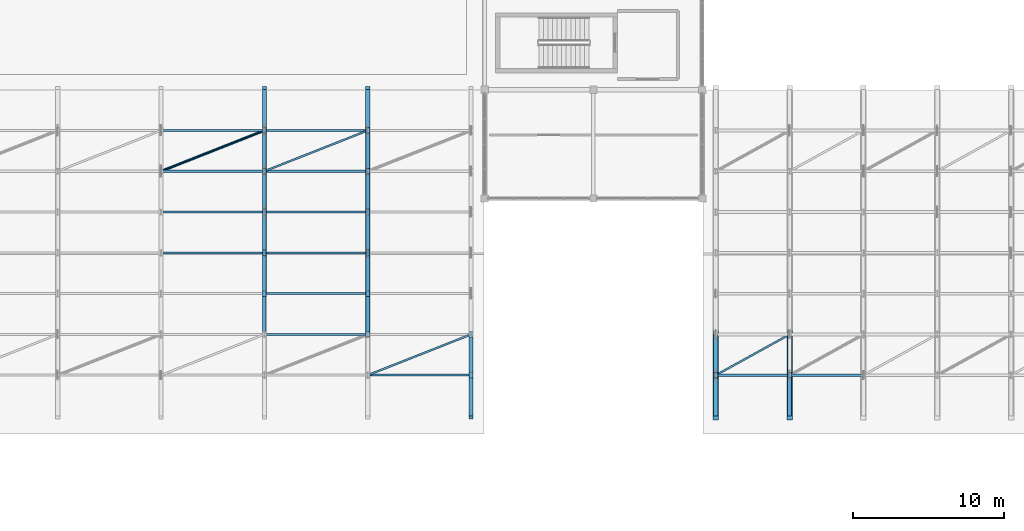
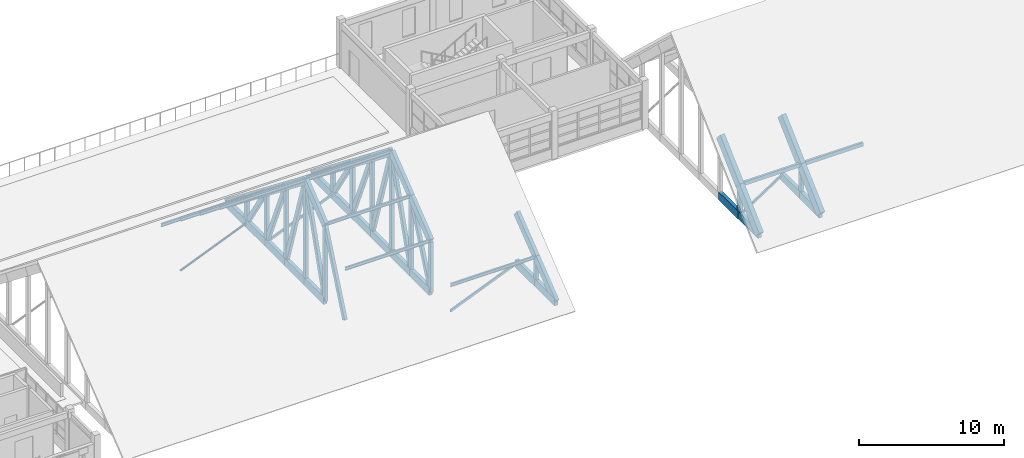
# One storey, part 18 of 79: 75 members.
"""IFC4 building model written with IfcOpenShell, lengths in metres."""

import ifcopenshell
import ifcopenshell.guid

model = None  # the IFC model being written
_history = None  # IfcOwnerHistory: only IFC2X3 demands one
_inside = {}  # id of a spatial element -> (the spatial element, [elements in it])
_under = {}  # id of a project, library or spatial element -> (it, [spatial elements below it])
_declared = {}  # id of a project -> (the project, [libraries it declares])
_typed = {}  # id of a type object -> (the type object, [elements of that type])
_made_of = {}  # id of a material, layer set ... -> (it, [elements and type objects made of it])


def new_model(schema):
    """Start an empty IFC model of exactly this schema.

    Asked for "IFC4X3", IfcOpenShell would pick the latest addendum, in which some entities
    have other attributes; the version numbers below select the first issue.
    IFC2X3 requires an IfcOwnerHistory on every rooted entity: one is made here for all.
    """
    global model, _history
    if schema == "IFC4X3":
        model = ifcopenshell.file(schema_version=(4, 3, 0, 0))
    else:
        model = ifcopenshell.file(schema=schema)
    _inside.clear()
    _under.clear()
    _declared.clear()
    _typed.clear()
    _made_of.clear()
    _history = None
    if model.schema == "IFC2X3":
        org = make("IfcOrganization", Name="unknown")
        user = make(
            "IfcPersonAndOrganization",
            ThePerson=make("IfcPerson", FamilyName="unknown"),
            TheOrganization=org,
        )
        app = make(
            "IfcApplication",
            ApplicationDeveloper=org,
            Version="unknown",
            ApplicationFullName="unknown",
            ApplicationIdentifier="unknown",
        )
        _history = make(
            "IfcOwnerHistory",
            OwningUser=user,
            OwningApplication=app,
            ChangeAction="ADDED",
            CreationDate=0,
        )
    return model


def make(cls, **values):
    """One entity of the class cls with the attributes given. An attribute that is None is left unset."""
    return model.create_entity(
        cls, **{name: value for name, value in values.items() if value is not None}
    )


def rooted(cls, **values):
    """An entity with a GlobalId (a new one), such as an element, a storey or a relation."""
    return make(cls, GlobalId=ifcopenshell.guid.new(), OwnerHistory=_history, **values)


def si_unit(unit_type, name, prefix=None):
    """IfcSIUnit, for example si_unit("LENGTHUNIT", "METRE", prefix="MILLI")."""
    return make("IfcSIUnit", UnitType=unit_type, Prefix=prefix, Name=name)


def assignment(units):
    """IfcUnitAssignment: the units of a project."""
    return None if units is None else make("IfcUnitAssignment", Units=units)


def point(xyz):
    """IfcCartesianPoint."""
    return None if xyz is None else make("IfcCartesianPoint", Coordinates=xyz)


def direction(xyz):
    """IfcDirection."""
    return None if xyz is None else make("IfcDirection", DirectionRatios=xyz)


def frame(location, z_axis=None, x_axis=None):
    """IfcAxis2Placement3D, a coordinate frame: its origin and axes. An axis left out is left unset."""
    return make(
        "IfcAxis2Placement3D",
        Location=point(location),
        Axis=direction(z_axis),
        RefDirection=direction(x_axis),
    )


def frame_2d(location, x_axis=None):
    """IfcAxis2Placement2D, a coordinate frame in the plane: its origin and x axis."""
    return make(
        "IfcAxis2Placement2D", Location=point(location), RefDirection=direction(x_axis)
    )


def origin():
    """The frame at (0, 0, 0) with its axes left unset."""
    return frame((0.0, 0.0, 0.0))


def origin_2d():
    """The frame at (0, 0) in the plane with its x axis left unset."""
    return frame_2d((0.0, 0.0))


def place(relative_to, where):
    """IfcLocalPlacement: puts the frame where relative to a parent placement (None: the world)."""
    return make(
        "IfcLocalPlacement", PlacementRelTo=relative_to, RelativePlacement=where
    )


def context(
    kind, dimensions, precision=None, world=None, true_north=None, identifier=None
):
    """IfcGeometricRepresentationContext, for example the 3D "Model" context."""
    return make(
        "IfcGeometricRepresentationContext",
        ContextIdentifier=identifier,
        ContextType=kind,
        CoordinateSpaceDimension=dimensions,
        Precision=precision,
        WorldCoordinateSystem=world,
        TrueNorth=true_north,
    )


def subcontext(parent, identifier, kind, view, scale=None):
    """IfcGeometricRepresentationSubContext, for example "Body" below "Model"."""
    return make(
        "IfcGeometricRepresentationSubContext",
        ContextIdentifier=identifier,
        ContextType=kind,
        ParentContext=parent,
        TargetScale=scale,
        TargetView=view,
    )


def project(units=None, contexts=None):
    """IfcProject with its units and contexts."""
    return rooted(
        "IfcProject",
        Name="project",
        RepresentationContexts=contexts,
        UnitsInContext=assignment(units),
    )


def spatial(cls, under=None, at=None, **own):
    """A site, building, storey or space (cls), placed at a placement, below another one or the project."""
    s = rooted(cls, ObjectPlacement=at, **own)
    if under is not None:
        _under.setdefault(under.id(), (under, []))[1].append(s)
    return s


def profile(cls, at=None, kind="AREA", **sizes):
    """A parametric profile (cls). Its sizes go by their IFC names, for example OverallWidth=200.0."""
    return make(cls, ProfileType=kind, Position=at, **sizes)


def rectangle(**sizes):
    """IfcRectangleProfileDef."""
    return profile("IfcRectangleProfileDef", **sizes)


def hollow_rectangle(**sizes):
    """IfcRectangleHollowProfileDef."""
    return profile("IfcRectangleHollowProfileDef", **sizes)


def hollow_circle(**sizes):
    """IfcCircleHollowProfileDef."""
    return profile("IfcCircleHollowProfileDef", **sizes)


def i_section(**sizes):
    """IfcIShapeProfileDef."""
    return profile("IfcIShapeProfileDef", **sizes)


def extrude(swept, where, along, depth):
    """IfcExtrudedAreaSolid: the profile swept, set in the frame where, extruded along a direction by depth."""
    return make(
        "IfcExtrudedAreaSolid",
        SweptArea=swept,
        Position=where,
        ExtrudedDirection=direction(along),
        Depth=depth,
    )


def shape(context_of_items, identifier, shape_type, items):
    """IfcShapeRepresentation: the items that make up one representation, for example the "Body"."""
    return make(
        "IfcShapeRepresentation",
        ContextOfItems=context_of_items,
        RepresentationIdentifier=identifier,
        RepresentationType=shape_type,
        Items=items,
    )


def material(Name=None, Category=None):
    """IfcMaterial."""
    return make("IfcMaterial", Name=Name, Category=Category)


def material_profile(
    of_material, cross_section, Name=None, Category=None, Priority=None
):
    """IfcMaterialProfile: a cross section and its material."""
    return make(
        "IfcMaterialProfile",
        Name=Name,
        Material=of_material,
        Profile=cross_section,
        Priority=Priority,
        Category=Category,
    )


def profile_set(profiles, Name=None, composite=None):
    """IfcMaterialProfileSet."""
    return make(
        "IfcMaterialProfileSet",
        Name=Name,
        MaterialProfiles=profiles,
        CompositeProfile=composite,
    )


def made_of(thing, what):
    """Note that an element or type object is made of a material, layer set ...; save() writes the relation."""
    if what is not None:
        _made_of.setdefault(what.id(), (what, []))[1].append(thing)
    return thing


def type_object(cls, material=None, **own):
    """A type object (cls), such as IfcWallType, which elements share."""
    return made_of(rooted(cls, **own), material)


def element(
    cls,
    number,
    at=None,
    inside=None,
    cuts=None,
    type_object=None,
    material=None,
    context=None,
    identifier="Body",
    shape_type=None,
    held_by="IfcProductDefinitionShape",
    body=None,
    shapes=None,
    **own,
):
    """One element of the class cls, such as IfcWall. Its Tag is "e" and its number.

    at: its placement. inside: the storey or other place that contains it. cuts: it is an
    opening in that element (IfcRelVoidsElement). A single representation is given by context,
    identifier, shape_type and body (its items); several are given by shapes. held_by: the class
    of the entity that holds the representations. save() writes the other relations.
    """
    e = rooted(cls, Tag="e%d" % number, ObjectPlacement=at, **own)
    if body is not None:
        shapes = [shape(context, identifier, shape_type, body)]
    if shapes is not None:
        e.Representation = make(held_by, Representations=shapes)
    if inside is not None:
        _inside.setdefault(inside.id(), (inside, []))[1].append(e)
    if cuts is not None:
        rooted(
            "IfcRelVoidsElement", RelatingBuildingElement=cuts, RelatedOpeningElement=e
        )
    if type_object is not None:
        _typed.setdefault(type_object.id(), (type_object, []))[1].append(e)
    return made_of(e, material)


def aggregate(whole, parts):
    """IfcRelAggregates: a whole, such as a stair, and the parts it consists of."""
    return rooted("IfcRelAggregates", RelatingObject=whole, RelatedObjects=parts)


def save(model, path):
    """Write the relations noted so far, then the file.

    IfcRelAggregates (storeys below a building ...), IfcRelContainedInSpatialStructure (elements
    in a storey), IfcRelDefinesByType, IfcRelAssociatesMaterial and IfcRelDeclares: one each for
    every whole, place, type object, material and project.
    """
    for whole, parts in _under.values():
        aggregate(whole, parts)
    for where, things in _inside.values():
        rooted(
            "IfcRelContainedInSpatialStructure",
            RelatedElements=things,
            RelatingStructure=where,
        )
    for kind, things in _typed.values():
        rooted("IfcRelDefinesByType", RelatedObjects=things, RelatingType=kind)
    for what, things in _made_of.values():
        rooted("IfcRelAssociatesMaterial", RelatedObjects=things, RelatingMaterial=what)
    for by, libraries in _declared.values():
        rooted("IfcRelDeclares", RelatingContext=by, RelatedDefinitions=libraries)
    model.write(path)


model = new_model("IFC4")

# Units and contexts
model_context = context("Model", 3, precision=1e-05, world=origin(), true_north=direction((0.0, 1.0)))
body_context = subcontext(model_context, "Body", "Model", "MODEL_VIEW")
ifc_project = project(units=[si_unit("LENGTHUNIT", "METRE"), si_unit("AREAUNIT", "SQUARE_METRE"), si_unit("VOLUMEUNIT", "CUBIC_METRE"), si_unit("PLANEANGLEUNIT", "RADIAN"), si_unit("MASSUNIT", "GRAM", prefix="KILO")], contexts=[model_context])

# Site, building, storey
site_placement = place(None, origin())
site = spatial("IfcSite", under=ifc_project, at=site_placement, CompositionType="ELEMENT")
building_placement = place(site_placement, origin())
building = spatial("IfcBuilding", under=site, at=building_placement, Name="Nzembalo Square Collegiate School", CompositionType="ELEMENT")
storey_placement = place(building_placement, frame((0.0, 0.0, 9.52001953125)))
storey = spatial("IfcBuildingStorey", under=building, at=storey_placement, Name="L02", CompositionType="ELEMENT", Elevation=9.52001953125)

# Members
ifc_material_1 = material(Name="Steel S355", Category="steel")
ifc_material_profile_1 = material_profile(ifc_material_1, hollow_circle(Radius=0.083984375, WallThickness=0.008056640625, at=origin_2d()), Name="CHS 168x8")
ifc_profile_set_1 = profile_set([ifc_material_profile_1], Name="Steel S355")
member_type_1 = type_object("IfcMemberType", Name="BR01", PredefinedType="BRACE", material=ifc_profile_set_1)
member_1_placement = place(storey_placement, frame((55.3798828125, 99.0, -0.60009765625), z_axis=(0.930159100227, 0.367156708049, 0.0), x_axis=(-0.367156708049, 0.930159100227, 0.0)))
element("IfcMember", 1, at=member_1_placement, inside=storey, type_object=member_type_1, Name="Roof wind brace BR01 GT-DH1-04-6", PredefinedType="BRACE", context=body_context, shape_type="SweptSolid", body=[
    extrude(hollow_circle(Radius=0.083984375, WallThickness=0.008056640625, at=origin_2d()), origin(), (0.0, 0.0, 1.0), 7.353759765625),
])
ifc_material_2 = material(Name="Steel S355", Category="steel")
ifc_material_profile_2 = material_profile(ifc_material_2, hollow_rectangle(XDim=0.1201171875, YDim=0.199951171875, WallThickness=0.008056640625, at=origin_2d()), Name="RHS 200x120x8")
ifc_profile_set_2 = profile_set([ifc_material_profile_2], Name="Steel S355")
member_type_2 = type_object("IfcMemberType", Name="BR02", PredefinedType="BRACE", material=ifc_profile_set_2)
member_2_placement = place(storey_placement, frame((92.10009765625, 85.5, -0.60009765625), z_axis=(0.875236175481, 0.483695810536, 0.0), x_axis=(-0.483695810536, 0.875236175481, 0.0)))
element("IfcMember", 2, at=member_2_placement, inside=storey, type_object=member_type_2, Name="Roof wind brace BR02 GT-AH1-02-1", PredefinedType="BRACE", context=body_context, shape_type="SweptSolid", body=[
    extrude(hollow_rectangle(XDim=0.1201171875, YDim=0.199951171875, WallThickness=0.008056640625, at=origin_2d()), origin(), (0.0, 0.0, 1.0), 5.58203125),
])
member_3_placement = place(storey_placement, frame((62.219970703125, 99.0, -0.60009765625), z_axis=(0.930159100227, 0.367156708049, 0.0), x_axis=(-0.367156708049, 0.930159100227, 0.0)))
element("IfcMember", 3, at=member_3_placement, inside=storey, type_object=member_type_2, Name="Roof wind brace BR02 GT-DH1-05-6", PredefinedType="BRACE", context=body_context, shape_type="SweptSolid", body=[
    extrude(hollow_rectangle(XDim=0.1201171875, YDim=0.199951171875, WallThickness=0.008056640625, at=origin_2d()), origin(), (0.0, 0.0, 1.0), 7.353759765625),
])
member_4_placement = place(storey_placement, frame((69.06005859375, 85.5, -0.60009765625), z_axis=(0.930154624551, 0.367168046577, 0.0), x_axis=(-0.367168046577, 0.930154624551, 0.0)))
element("IfcMember", 4, at=member_4_placement, inside=storey, type_object=member_type_2, Name="Roof wind brace BR02 GT-DH1-06-1", PredefinedType="BRACE", context=body_context, shape_type="SweptSolid", body=[
    extrude(hollow_rectangle(XDim=0.1201171875, YDim=0.199951171875, WallThickness=0.008056640625, at=origin_2d()), origin(), (0.0, 0.0, 1.0), 7.353515625),
])
ifc_material_3 = material(Name="Glulam GL28h", Category="wood")
ifc_material_profile_3 = material_profile(ifc_material_3, rectangle(XDim=0.179931640625, YDim=0.320068359375, at=origin_2d()), Name="GL28h 180x320")
ifc_profile_set_3 = profile_set([ifc_material_profile_3], Name="Glulam GL28h")
member_type_3 = type_object("IfcMemberType", Name="PR01", PredefinedType="PURLIN", material=ifc_profile_set_3)
member_5_placement = place(storey_placement, frame((92.10009765625, 85.5, 1.9599609375), z_axis=(1.0, 0.0, 0.0), x_axis=(0.0, 1.0, 0.0)))
element("IfcMember", 5, at=member_5_placement, inside=storey, type_object=member_type_3, Name="Roof purlin PR01 GT-AH1-02-1", PredefinedType="PURLIN", context=body_context, shape_type="SweptSolid", body=[
    extrude(rectangle(XDim=0.179931640625, YDim=0.320068359375, at=origin_2d()), origin(), (0.0, 0.0, 1.0), 4.885498046875),
])
member_6_placement = place(storey_placement, frame((96.985595703125, 85.5, 1.9599609375), z_axis=(1.0, 0.0, 0.0), x_axis=(0.0, 1.0, 0.0)))
element("IfcMember", 6, at=member_6_placement, inside=storey, type_object=member_type_3, Name="Roof purlin PR01 GT-AH1-03-1", PredefinedType="PURLIN", context=body_context, shape_type="SweptSolid", body=[
    extrude(rectangle(XDim=0.179931640625, YDim=0.320068359375, at=origin_2d()), origin(), (0.0, 0.0, 1.0), 4.8857421875),
])
ifc_material_4 = material(Name="Steel S355", Category="steel")
ifc_material_profile_4 = material_profile(ifc_material_4, i_section(OverallWidth=0.135009765625, OverallDepth=0.27001953125, WebThickness=0.006591796875, FlangeThickness=0.01025390625, at=origin_2d()), Name="IPE 270")
ifc_profile_set_4 = profile_set([ifc_material_profile_4], Name="Steel S355")
member_type_4 = type_object("IfcMemberType", Name="PR02", PredefinedType="PURLIN", material=ifc_profile_set_4)
for number, where, z_axis, x_axis, name in (
    (7, (55.3798828125, 93.60009765625, 7.925048828125), (1.0, 0.0, 0.0), (0.0, 1.0, 0.0), "Roof purlin PR02 GT-DH1-04-4"),
    (8, (55.3798828125, 96.300048828125, 5.804931640625), (1.0, 0.0, 0.0), (0.0, 1.0, 0.0), "Roof purlin PR02 GT-DH1-04-5"),
    (9, (55.3798828125, 99.0, 3.68505859375), (1.0, 0.0, 0.0), (0.0, 1.0, 0.0), "Roof purlin PR02 GT-DH1-04-6"),
    (10, (55.3798828125, 101.699951171875, 1.56494140625), (1.0, 0.0, 0.0), (0.0, 1.0, 0.0), "Roof purlin PR02 GT-DH1-04-7"),
    (11, (62.219970703125, 88.199951171875, 3.68505859375), (1.0, 0.0, 0.0), (0.0, 1.0, 0.0), "Roof purlin PR02 GT-DH1-05-2"),
    (12, (62.219970703125, 90.89990234375, 5.804931640625), (1.0, 0.0, 0.0), (0.0, 1.0, 0.0), "Roof purlin PR02 GT-DH1-05-3"),
    (13, (62.219970703125, 93.60009765625, 7.925048828125), (1.0, 0.0, 0.0), (0.0, 1.0, 0.0), "Roof purlin PR02 GT-DH1-05-4"),
    (14, (62.219970703125, 96.300048828125, 5.804931640625), (1.0, 0.0, 0.0), (0.0, 1.0, 0.0), "Roof purlin PR02 GT-DH1-05-5"),
    (15, (62.219970703125, 99.0, 3.68505859375), (1.0, 0.0, 0.0), (0.0, 1.0, 0.0), "Roof purlin PR02 GT-DH1-05-6"),
    (16, (62.219970703125, 101.699951171875, 1.56494140625), (1.0, 0.0, 0.0), (0.0, 1.0, 0.0), "Roof purlin PR02 GT-DH1-05-7"),
):
    element("IfcMember", number, at=place(storey_placement, frame(where, z_axis=z_axis, x_axis=x_axis)), inside=storey, type_object=member_type_4, Name=name, PredefinedType="PURLIN", context=body_context, shape_type="SweptSolid", body=[
        extrude(i_section(OverallWidth=0.135009765625, OverallDepth=0.27001953125, WebThickness=0.006591796875, FlangeThickness=0.01025390625, at=origin_2d()), origin(), (0.0, 0.0, 1.0), 6.840087890625),
    ])
member_7_placement = place(storey_placement, frame((69.06005859375, 85.5, 1.56494140625), z_axis=(1.0, 0.0, 0.0), x_axis=(0.0, 1.0, 0.0)))
element("IfcMember", 17, at=member_7_placement, inside=storey, type_object=member_type_4, Name="Roof purlin PR02 GT-DH1-06-1", PredefinedType="PURLIN", context=body_context, shape_type="SweptSolid", body=[
    extrude(i_section(OverallWidth=0.135009765625, OverallDepth=0.27001953125, WebThickness=0.006591796875, FlangeThickness=0.01025390625, at=origin_2d()), origin(), (0.0, 0.0, 1.0), 6.83984375),
])
ifc_material_5 = material(Name="Glulam GL32h", Category="wood")
ifc_material_profile_5 = material_profile(ifc_material_5, rectangle(XDim=0.360107421875, YDim=0.800048828125, at=origin_2d()), Name="GL32h 360x800")
ifc_profile_set_5 = profile_set([ifc_material_profile_5], Name="Glulam GL32h")
member_type_5 = type_object("IfcMemberType", Name="TC01", PredefinedType="CHORD", material=ifc_profile_set_5)
member_8_placement = place(storey_placement, frame((92.10009765625, 82.800048828125, -0.60009765625), z_axis=(0.0, 0.731706201412, 0.681620154349), x_axis=(-1.0, 0.0, 0.0)))
element("IfcMember", 18, at=member_8_placement, inside=storey, type_object=member_type_5, Name="GT-AH1-01 top chord 1", PredefinedType="CHORD", context=body_context, shape_type="SweptSolid", body=[
    extrude(rectangle(XDim=0.360107421875, YDim=0.800048828125, at=origin_2d()), origin(), (0.0, 0.0, 1.0), 3.68994140625),
])
member_9_placement = place(storey_placement, frame((92.10009765625, 85.5, 1.9150390625), z_axis=(0.0, 0.731739200986, 0.681584728218), x_axis=(-1.0, 0.0, 0.0)))
element("IfcMember", 19, at=member_9_placement, inside=storey, type_object=member_type_5, Name="GT-AH1-01 top chord 2", PredefinedType="CHORD", context=body_context, shape_type="SweptSolid", body=[
    extrude(rectangle(XDim=0.360107421875, YDim=0.800048828125, at=origin_2d()), origin(), (0.0, 0.0, 1.0), 3.689697265625),
])
member_10_placement = place(storey_placement, frame((96.985595703125, 82.800048828125, -0.60009765625), z_axis=(0.0, 0.731706201412, 0.681620154349), x_axis=(-1.0, 0.0, 0.0)))
element("IfcMember", 20, at=member_10_placement, inside=storey, type_object=member_type_5, Name="GT-AH1-02 top chord 1", PredefinedType="CHORD", context=body_context, shape_type="SweptSolid", body=[
    extrude(rectangle(XDim=0.360107421875, YDim=0.800048828125, at=origin_2d()), origin(), (0.0, 0.0, 1.0), 3.68994140625),
])
member_11_placement = place(storey_placement, frame((96.985595703125, 85.5, 1.9150390625), z_axis=(0.0, 0.731739200986, 0.681584728218), x_axis=(-1.0, 0.0, 0.0)))
element("IfcMember", 21, at=member_11_placement, inside=storey, type_object=member_type_5, Name="GT-AH1-02 top chord 2", PredefinedType="CHORD", context=body_context, shape_type="SweptSolid", body=[
    extrude(rectangle(XDim=0.360107421875, YDim=0.800048828125, at=origin_2d()), origin(), (0.0, 0.0, 1.0), 3.689697265625),
])
ifc_material_6 = material(Name="Glulam GL32h", Category="wood")
ifc_material_profile_6 = material_profile(ifc_material_6, rectangle(XDim=0.280029296875, YDim=0.639892578125, at=origin_2d()), Name="GL32h 280x640")
ifc_profile_set_6 = profile_set([ifc_material_profile_6], Name="Glulam GL32h")
member_type_6 = type_object("IfcMemberType", Name="TC02", PredefinedType="CHORD", material=ifc_profile_set_6)
for number, where, z_axis, x_axis, name in (
    (22, (92.10009765625, 82.800048828125, -0.60009765625), (0.0, 1.0, 0.0), (-1.0, 0.0, 0.0), "GT-AH1-01 bottom chord 1"),
    (23, (92.10009765625, 85.5, -0.60009765625), (0.0, 1.0, 0.0), (-1.0, 0.0, 0.0), "GT-AH1-01 bottom chord 2"),
    (24, (96.985595703125, 82.800048828125, -0.60009765625), (0.0, 1.0, 0.0), (-1.0, 0.0, 0.0), "GT-AH1-02 bottom chord 1"),
    (25, (96.985595703125, 85.5, -0.60009765625), (0.0, 1.0, 0.0), (-1.0, 0.0, 0.0), "GT-AH1-02 bottom chord 2"),
):
    element("IfcMember", number, at=place(storey_placement, frame(where, z_axis=z_axis, x_axis=x_axis)), inside=storey, type_object=member_type_6, Name=name, PredefinedType="CHORD", context=body_context, shape_type="SweptSolid", body=[
        extrude(rectangle(XDim=0.280029296875, YDim=0.639892578125, at=origin_2d()), origin(), (0.0, 0.0, 1.0), 2.699951171875),
    ])
member_12_placement = place(storey_placement, frame((62.219970703125, 90.89990234375, 5.760009765625), z_axis=(0.0, 0.786560123124, 0.617513702449), x_axis=(-1.0, 0.0, 0.0)))
element("IfcMember", 26, at=member_12_placement, inside=storey, type_object=member_type_6, Name="GT-DH1-04 top chord 4", PredefinedType="CHORD", context=body_context, shape_type="SweptSolid", body=[
    extrude(rectangle(XDim=0.280029296875, YDim=0.639892578125, at=origin_2d()), origin(), (0.0, 0.0, 1.0), 3.432861328125),
])
member_13_placement = place(storey_placement, frame((62.219970703125, 90.89990234375, -0.60009765625), z_axis=(0.0, 1.0, 0.0), x_axis=(-1.0, 0.0, 0.0)))
element("IfcMember", 27, at=member_13_placement, inside=storey, type_object=member_type_6, Name="GT-DH1-04 bottom chord 4", PredefinedType="CHORD", context=body_context, shape_type="SweptSolid", body=[
    extrude(rectangle(XDim=0.280029296875, YDim=0.639892578125, at=origin_2d()), origin(), (0.0, 0.0, 1.0), 2.7001953125),
])
member_14_placement = place(storey_placement, frame((62.219970703125, 93.60009765625, 7.8798828125), z_axis=(0.0, 0.786533002077, -0.617548246409), x_axis=(-1.0, 0.0, 0.0)))
element("IfcMember", 28, at=member_14_placement, inside=storey, type_object=member_type_6, Name="GT-DH1-04 top chord 5", PredefinedType="CHORD", context=body_context, shape_type="SweptSolid", body=[
    extrude(rectangle(XDim=0.280029296875, YDim=0.639892578125, at=origin_2d()), origin(), (0.0, 0.0, 1.0), 3.4326171875),
])
member_15_placement = place(storey_placement, frame((62.219970703125, 93.60009765625, -0.60009765625), z_axis=(0.0, 1.0, 0.0), x_axis=(-1.0, 0.0, 0.0)))
element("IfcMember", 29, at=member_15_placement, inside=storey, type_object=member_type_6, Name="GT-DH1-04 bottom chord 5", PredefinedType="CHORD", context=body_context, shape_type="SweptSolid", body=[
    extrude(rectangle(XDim=0.280029296875, YDim=0.639892578125, at=origin_2d()), origin(), (0.0, 0.0, 1.0), 2.699951171875),
])
member_16_placement = place(storey_placement, frame((62.219970703125, 96.300048828125, 5.760009765625), z_axis=(0.0, 0.786498457067, -0.617592241719), x_axis=(-1.0, 0.0, 0.0)))
element("IfcMember", 30, at=member_16_placement, inside=storey, type_object=member_type_6, Name="GT-DH1-04 top chord 6", PredefinedType="CHORD", context=body_context, shape_type="SweptSolid", body=[
    extrude(rectangle(XDim=0.280029296875, YDim=0.639892578125, at=origin_2d()), origin(), (0.0, 0.0, 1.0), 3.432861328125),
])
member_17_placement = place(storey_placement, frame((62.219970703125, 96.300048828125, -0.60009765625), z_axis=(0.0, 1.0, 0.0), x_axis=(-1.0, 0.0, 0.0)))
element("IfcMember", 31, at=member_17_placement, inside=storey, type_object=member_type_6, Name="GT-DH1-04 bottom chord 6", PredefinedType="CHORD", context=body_context, shape_type="SweptSolid", body=[
    extrude(rectangle(XDim=0.280029296875, YDim=0.639892578125, at=origin_2d()), origin(), (0.0, 0.0, 1.0), 2.699951171875),
])
member_18_placement = place(storey_placement, frame((62.219970703125, 99.0, 3.639892578125), z_axis=(0.0, 0.786533002077, -0.617548246409), x_axis=(-1.0, 0.0, 0.0)))
element("IfcMember", 32, at=member_18_placement, inside=storey, type_object=member_type_6, Name="GT-DH1-04 top chord 7", PredefinedType="CHORD", context=body_context, shape_type="SweptSolid", body=[
    extrude(rectangle(XDim=0.280029296875, YDim=0.639892578125, at=origin_2d()), origin(), (0.0, 0.0, 1.0), 3.4326171875),
])
member_19_placement = place(storey_placement, frame((62.219970703125, 99.0, -0.60009765625), z_axis=(0.0, 1.0, 0.0), x_axis=(-1.0, 0.0, 0.0)))
element("IfcMember", 33, at=member_19_placement, inside=storey, type_object=member_type_6, Name="GT-DH1-04 bottom chord 7", PredefinedType="CHORD", context=body_context, shape_type="SweptSolid", body=[
    extrude(rectangle(XDim=0.280029296875, YDim=0.639892578125, at=origin_2d()), origin(), (0.0, 0.0, 1.0), 2.699951171875),
])
member_20_placement = place(storey_placement, frame((62.219970703125, 101.699951171875, 1.52001953125), z_axis=(0.0, 0.786498457067, -0.617592241719), x_axis=(-1.0, 0.0, 0.0)))
element("IfcMember", 34, at=member_20_placement, inside=storey, type_object=member_type_6, Name="GT-DH1-04 top chord 8", PredefinedType="CHORD", context=body_context, shape_type="SweptSolid", body=[
    extrude(rectangle(XDim=0.280029296875, YDim=0.639892578125, at=origin_2d()), origin(), (0.0, 0.0, 1.0), 3.432861328125),
])
member_21_placement = place(storey_placement, frame((62.219970703125, 101.699951171875, -0.60009765625), z_axis=(0.0, 1.0, 0.0), x_axis=(-1.0, 0.0, 0.0)))
element("IfcMember", 35, at=member_21_placement, inside=storey, type_object=member_type_6, Name="GT-DH1-04 bottom chord 8", PredefinedType="CHORD", context=body_context, shape_type="SweptSolid", body=[
    extrude(rectangle(XDim=0.280029296875, YDim=0.639892578125, at=origin_2d()), origin(), (0.0, 0.0, 1.0), 2.699951171875),
])
member_22_placement = place(storey_placement, frame((69.06005859375, 88.199951171875, 3.639892578125), z_axis=(0.0, 0.786498457067, 0.617592241719), x_axis=(-1.0, 0.0, 0.0)))
element("IfcMember", 36, at=member_22_placement, inside=storey, type_object=member_type_6, Name="GT-DH1-05 top chord 3", PredefinedType="CHORD", context=body_context, shape_type="SweptSolid", body=[
    extrude(rectangle(XDim=0.280029296875, YDim=0.639892578125, at=origin_2d()), origin(), (0.0, 0.0, 1.0), 3.432861328125),
])
member_23_placement = place(storey_placement, frame((69.06005859375, 88.199951171875, -0.60009765625), z_axis=(0.0, 1.0, 0.0), x_axis=(-1.0, 0.0, 0.0)))
element("IfcMember", 37, at=member_23_placement, inside=storey, type_object=member_type_6, Name="GT-DH1-05 bottom chord 3", PredefinedType="CHORD", context=body_context, shape_type="SweptSolid", body=[
    extrude(rectangle(XDim=0.280029296875, YDim=0.639892578125, at=origin_2d()), origin(), (0.0, 0.0, 1.0), 2.699951171875),
])
member_24_placement = place(storey_placement, frame((69.06005859375, 90.89990234375, 5.760009765625), z_axis=(0.0, 0.786560123124, 0.617513702449), x_axis=(-1.0, 0.0, 0.0)))
element("IfcMember", 38, at=member_24_placement, inside=storey, type_object=member_type_6, Name="GT-DH1-05 top chord 4", PredefinedType="CHORD", context=body_context, shape_type="SweptSolid", body=[
    extrude(rectangle(XDim=0.280029296875, YDim=0.639892578125, at=origin_2d()), origin(), (0.0, 0.0, 1.0), 3.432861328125),
])
member_25_placement = place(storey_placement, frame((69.06005859375, 90.89990234375, -0.60009765625), z_axis=(0.0, 1.0, 0.0), x_axis=(-1.0, 0.0, 0.0)))
element("IfcMember", 39, at=member_25_placement, inside=storey, type_object=member_type_6, Name="GT-DH1-05 bottom chord 4", PredefinedType="CHORD", context=body_context, shape_type="SweptSolid", body=[
    extrude(rectangle(XDim=0.280029296875, YDim=0.639892578125, at=origin_2d()), origin(), (0.0, 0.0, 1.0), 2.7001953125),
])
member_26_placement = place(storey_placement, frame((69.06005859375, 93.60009765625, 7.8798828125), z_axis=(0.0, 0.786533002077, -0.617548246409), x_axis=(-1.0, 0.0, 0.0)))
element("IfcMember", 40, at=member_26_placement, inside=storey, type_object=member_type_6, Name="GT-DH1-05 top chord 5", PredefinedType="CHORD", context=body_context, shape_type="SweptSolid", body=[
    extrude(rectangle(XDim=0.280029296875, YDim=0.639892578125, at=origin_2d()), origin(), (0.0, 0.0, 1.0), 3.4326171875),
])
member_27_placement = place(storey_placement, frame((69.06005859375, 93.60009765625, -0.60009765625), z_axis=(0.0, 1.0, 0.0), x_axis=(-1.0, 0.0, 0.0)))
element("IfcMember", 41, at=member_27_placement, inside=storey, type_object=member_type_6, Name="GT-DH1-05 bottom chord 5", PredefinedType="CHORD", context=body_context, shape_type="SweptSolid", body=[
    extrude(rectangle(XDim=0.280029296875, YDim=0.639892578125, at=origin_2d()), origin(), (0.0, 0.0, 1.0), 2.699951171875),
])
member_28_placement = place(storey_placement, frame((69.06005859375, 96.300048828125, 5.760009765625), z_axis=(0.0, 0.786498457067, -0.617592241719), x_axis=(-1.0, 0.0, 0.0)))
element("IfcMember", 42, at=member_28_placement, inside=storey, type_object=member_type_6, Name="GT-DH1-05 top chord 6", PredefinedType="CHORD", context=body_context, shape_type="SweptSolid", body=[
    extrude(rectangle(XDim=0.280029296875, YDim=0.639892578125, at=origin_2d()), origin(), (0.0, 0.0, 1.0), 3.432861328125),
])
member_29_placement = place(storey_placement, frame((69.06005859375, 96.300048828125, -0.60009765625), z_axis=(0.0, 1.0, 0.0), x_axis=(-1.0, 0.0, 0.0)))
element("IfcMember", 43, at=member_29_placement, inside=storey, type_object=member_type_6, Name="GT-DH1-05 bottom chord 6", PredefinedType="CHORD", context=body_context, shape_type="SweptSolid", body=[
    extrude(rectangle(XDim=0.280029296875, YDim=0.639892578125, at=origin_2d()), origin(), (0.0, 0.0, 1.0), 2.699951171875),
])
member_30_placement = place(storey_placement, frame((69.06005859375, 99.0, 3.639892578125), z_axis=(0.0, 0.786533002077, -0.617548246409), x_axis=(-1.0, 0.0, 0.0)))
element("IfcMember", 44, at=member_30_placement, inside=storey, type_object=member_type_6, Name="GT-DH1-05 top chord 7", PredefinedType="CHORD", context=body_context, shape_type="SweptSolid", body=[
    extrude(rectangle(XDim=0.280029296875, YDim=0.639892578125, at=origin_2d()), origin(), (0.0, 0.0, 1.0), 3.4326171875),
])
member_31_placement = place(storey_placement, frame((69.06005859375, 99.0, -0.60009765625), z_axis=(0.0, 1.0, 0.0), x_axis=(-1.0, 0.0, 0.0)))
element("IfcMember", 45, at=member_31_placement, inside=storey, type_object=member_type_6, Name="GT-DH1-05 bottom chord 7", PredefinedType="CHORD", context=body_context, shape_type="SweptSolid", body=[
    extrude(rectangle(XDim=0.280029296875, YDim=0.639892578125, at=origin_2d()), origin(), (0.0, 0.0, 1.0), 2.699951171875),
])
member_32_placement = place(storey_placement, frame((69.06005859375, 101.699951171875, 1.52001953125), z_axis=(0.0, 0.786498457067, -0.617592241719), x_axis=(-1.0, 0.0, 0.0)))
element("IfcMember", 46, at=member_32_placement, inside=storey, type_object=member_type_6, Name="GT-DH1-05 top chord 8", PredefinedType="CHORD", context=body_context, shape_type="SweptSolid", body=[
    extrude(rectangle(XDim=0.280029296875, YDim=0.639892578125, at=origin_2d()), origin(), (0.0, 0.0, 1.0), 3.432861328125),
])
member_33_placement = place(storey_placement, frame((69.06005859375, 101.699951171875, -0.60009765625), z_axis=(0.0, 1.0, 0.0), x_axis=(-1.0, 0.0, 0.0)))
element("IfcMember", 47, at=member_33_placement, inside=storey, type_object=member_type_6, Name="GT-DH1-05 bottom chord 8", PredefinedType="CHORD", context=body_context, shape_type="SweptSolid", body=[
    extrude(rectangle(XDim=0.280029296875, YDim=0.639892578125, at=origin_2d()), origin(), (0.0, 0.0, 1.0), 2.699951171875),
])
member_34_placement = place(storey_placement, frame((75.89990234375, 82.800048828125, -0.60009765625), z_axis=(0.0, 0.786498457067, 0.617592241719), x_axis=(-1.0, 0.0, 0.0)))
element("IfcMember", 48, at=member_34_placement, inside=storey, type_object=member_type_6, Name="GT-DH1-06 top chord 1", PredefinedType="CHORD", context=body_context, shape_type="SweptSolid", body=[
    extrude(rectangle(XDim=0.280029296875, YDim=0.639892578125, at=origin_2d()), origin(), (0.0, 0.0, 1.0), 3.432861328125),
])
member_35_placement = place(storey_placement, frame((75.89990234375, 82.800048828125, -0.60009765625), z_axis=(0.0, 1.0, 0.0), x_axis=(-1.0, 0.0, 0.0)))
element("IfcMember", 49, at=member_35_placement, inside=storey, type_object=member_type_6, Name="GT-DH1-06 bottom chord 1", PredefinedType="CHORD", context=body_context, shape_type="SweptSolid", body=[
    extrude(rectangle(XDim=0.280029296875, YDim=0.639892578125, at=origin_2d()), origin(), (0.0, 0.0, 1.0), 2.699951171875),
])
member_36_placement = place(storey_placement, frame((75.89990234375, 85.5, 1.52001953125), z_axis=(0.0, 0.786533002077, 0.617548246409), x_axis=(-1.0, 0.0, 0.0)))
element("IfcMember", 50, at=member_36_placement, inside=storey, type_object=member_type_6, Name="GT-DH1-06 top chord 2", PredefinedType="CHORD", context=body_context, shape_type="SweptSolid", body=[
    extrude(rectangle(XDim=0.280029296875, YDim=0.639892578125, at=origin_2d()), origin(), (0.0, 0.0, 1.0), 3.4326171875),
])
member_37_placement = place(storey_placement, frame((75.89990234375, 85.5, -0.60009765625), z_axis=(0.0, 1.0, 0.0), x_axis=(-1.0, 0.0, 0.0)))
element("IfcMember", 51, at=member_37_placement, inside=storey, type_object=member_type_6, Name="GT-DH1-06 bottom chord 2", PredefinedType="CHORD", context=body_context, shape_type="SweptSolid", body=[
    extrude(rectangle(XDim=0.280029296875, YDim=0.639892578125, at=origin_2d()), origin(), (0.0, 0.0, 1.0), 2.699951171875),
])
ifc_material_7 = material(Name="Glulam GL32h", Category="wood")
ifc_material_profile_7 = material_profile(ifc_material_7, rectangle(XDim=0.239990234375, YDim=0.360107421875, at=origin_2d()), Name="GL32h 240x360")
ifc_profile_set_7 = profile_set([ifc_material_profile_7], Name="Glulam GL32h")
member_type_7 = type_object("IfcMemberType", Name="TD02", PredefinedType="BRACE", material=ifc_profile_set_7)
member_38_placement = place(storey_placement, frame((62.219970703125, 88.199951171875, -0.60009765625), z_axis=(0.0, 0.390761264497, 0.920492060894), x_axis=(-1.0, 0.0, 0.0)))
element("IfcMember", 52, at=member_38_placement, inside=storey, type_object=member_type_7, Name="GT-DH1-04 web diagonal 2", PredefinedType="BRACE", context=body_context, shape_type="SweptSolid", body=[
    extrude(rectangle(XDim=0.239990234375, YDim=0.360107421875, at=origin_2d()), origin(), (0.0, 0.0, 1.0), 6.909423828125),
])
for number, where, z_axis, x_axis, name in (
    (53, (62.219970703125, 90.89990234375, -0.60009765625), (0.0, 0.303409732747, 0.952860186006), (-1.0, 0.0, 0.0), "GT-DH1-04 web diagonal 3"),
    (54, (62.219970703125, 96.300048828125, -0.60009765625), (0.0, -0.303384824786, 0.95286811684), (1.0, 0.0, 0.0), "GT-DH1-04 web diagonal 4"),
):
    element("IfcMember", number, at=place(storey_placement, frame(where, z_axis=z_axis, x_axis=x_axis)), inside=storey, type_object=member_type_7, Name=name, PredefinedType="BRACE", context=body_context, shape_type="SweptSolid", body=[
        extrude(rectangle(XDim=0.239990234375, YDim=0.360107421875, at=origin_2d()), origin(), (0.0, 0.0, 1.0), 8.8994140625),
    ])
member_39_placement = place(storey_placement, frame((62.219970703125, 99.0, -0.60009765625), z_axis=(0.0, -0.390761264497, 0.920492060894), x_axis=(1.0, 0.0, 0.0)))
element("IfcMember", 55, at=member_39_placement, inside=storey, type_object=member_type_7, Name="GT-DH1-04 web diagonal 5", PredefinedType="BRACE", context=body_context, shape_type="SweptSolid", body=[
    extrude(rectangle(XDim=0.239990234375, YDim=0.360107421875, at=origin_2d()), origin(), (0.0, 0.0, 1.0), 6.909423828125),
])
member_40_placement = place(storey_placement, frame((62.219970703125, 101.699951171875, -0.60009765625), z_axis=(0.0, -0.537126885437, 0.843501457581), x_axis=(1.0, 0.0, 0.0)))
element("IfcMember", 56, at=member_40_placement, inside=storey, type_object=member_type_7, Name="GT-DH1-04 web diagonal 6", PredefinedType="BRACE", context=body_context, shape_type="SweptSolid", body=[
    extrude(rectangle(XDim=0.239990234375, YDim=0.360107421875, at=origin_2d()), origin(), (0.0, 0.0, 1.0), 5.026611328125),
])
member_41_placement = place(storey_placement, frame((69.06005859375, 88.199951171875, -0.60009765625), z_axis=(0.0, 0.390761264497, 0.920492060894), x_axis=(-1.0, 0.0, 0.0)))
element("IfcMember", 57, at=member_41_placement, inside=storey, type_object=member_type_7, Name="GT-DH1-05 web diagonal 2", PredefinedType="BRACE", context=body_context, shape_type="SweptSolid", body=[
    extrude(rectangle(XDim=0.239990234375, YDim=0.360107421875, at=origin_2d()), origin(), (0.0, 0.0, 1.0), 6.909423828125),
])
for number, where, z_axis, x_axis, name in (
    (58, (69.06005859375, 90.89990234375, -0.60009765625), (0.0, 0.303409732747, 0.952860186006), (-1.0, 0.0, 0.0), "GT-DH1-05 web diagonal 3"),
    (59, (69.06005859375, 96.300048828125, -0.60009765625), (0.0, -0.303384824786, 0.95286811684), (1.0, 0.0, 0.0), "GT-DH1-05 web diagonal 4"),
):
    element("IfcMember", number, at=place(storey_placement, frame(where, z_axis=z_axis, x_axis=x_axis)), inside=storey, type_object=member_type_7, Name=name, PredefinedType="BRACE", context=body_context, shape_type="SweptSolid", body=[
        extrude(rectangle(XDim=0.239990234375, YDim=0.360107421875, at=origin_2d()), origin(), (0.0, 0.0, 1.0), 8.8994140625),
    ])
member_42_placement = place(storey_placement, frame((69.06005859375, 99.0, -0.60009765625), z_axis=(0.0, -0.390761264497, 0.920492060894), x_axis=(1.0, 0.0, 0.0)))
element("IfcMember", 60, at=member_42_placement, inside=storey, type_object=member_type_7, Name="GT-DH1-05 web diagonal 5", PredefinedType="BRACE", context=body_context, shape_type="SweptSolid", body=[
    extrude(rectangle(XDim=0.239990234375, YDim=0.360107421875, at=origin_2d()), origin(), (0.0, 0.0, 1.0), 6.909423828125),
])
member_43_placement = place(storey_placement, frame((69.06005859375, 101.699951171875, -0.60009765625), z_axis=(0.0, -0.537126885437, 0.843501457581), x_axis=(1.0, 0.0, 0.0)))
element("IfcMember", 61, at=member_43_placement, inside=storey, type_object=member_type_7, Name="GT-DH1-05 web diagonal 6", PredefinedType="BRACE", context=body_context, shape_type="SweptSolid", body=[
    extrude(rectangle(XDim=0.239990234375, YDim=0.360107421875, at=origin_2d()), origin(), (0.0, 0.0, 1.0), 5.026611328125),
])
ifc_material_8 = material(Name="Glulam GL32h", Category="wood")
ifc_material_profile_8 = material_profile(ifc_material_8, rectangle(XDim=0.239990234375, YDim=0.360107421875, at=origin_2d()), Name="GL32h 240x360")
ifc_profile_set_8 = profile_set([ifc_material_profile_8], Name="Glulam GL32h")
member_type_8 = type_object("IfcMemberType", Name="TP01", PredefinedType="POST", material=ifc_profile_set_8)
for number, where, z_axis, x_axis, name in (
    (62, (92.10009765625, 85.5, -0.60009765625), (0.0, 0.0, 1.0), (1.0, 0.0, 0.0), "GT-AH1-01 vertical post 1"),
    (63, (96.985595703125, 85.5, -0.60009765625), (0.0, 0.0, 1.0), (1.0, 0.0, 0.0), "GT-AH1-02 vertical post 1"),
):
    element("IfcMember", number, at=place(storey_placement, frame(where, z_axis=z_axis, x_axis=x_axis)), inside=storey, type_object=member_type_8, Name=name, PredefinedType="POST", context=body_context, shape_type="SweptSolid", body=[
        extrude(rectangle(XDim=0.239990234375, YDim=0.360107421875, at=origin_2d()), origin(), (0.0, 0.0, 1.0), 2.51513671875),
    ])
member_44_placement = place(storey_placement, frame((62.219970703125, 90.89990234375, -0.60009765625), z_axis=(0.0, 0.0, 1.0), x_axis=(1.0, 0.0, 0.0)))
element("IfcMember", 64, at=member_44_placement, inside=storey, type_object=member_type_8, Name="GT-DH1-04 vertical post 3", PredefinedType="POST", context=body_context, shape_type="SweptSolid", body=[
    extrude(rectangle(XDim=0.239990234375, YDim=0.360107421875, at=origin_2d()), origin(), (0.0, 0.0, 1.0), 6.360107421875),
])
member_45_placement = place(storey_placement, frame((62.219970703125, 93.60009765625, -0.60009765625), z_axis=(0.0, 0.0, 1.0), x_axis=(1.0, 0.0, 0.0)))
element("IfcMember", 65, at=member_45_placement, inside=storey, type_object=member_type_8, Name="GT-DH1-04 vertical post 4", PredefinedType="POST", context=body_context, shape_type="SweptSolid", body=[
    extrude(rectangle(XDim=0.239990234375, YDim=0.360107421875, at=origin_2d()), origin(), (0.0, 0.0, 1.0), 8.47998046875),
])
member_46_placement = place(storey_placement, frame((62.219970703125, 96.300048828125, -0.60009765625), z_axis=(0.0, 0.0, 1.0), x_axis=(1.0, 0.0, 0.0)))
element("IfcMember", 66, at=member_46_placement, inside=storey, type_object=member_type_8, Name="GT-DH1-04 vertical post 5", PredefinedType="POST", context=body_context, shape_type="SweptSolid", body=[
    extrude(rectangle(XDim=0.239990234375, YDim=0.360107421875, at=origin_2d()), origin(), (0.0, 0.0, 1.0), 6.360107421875),
])
member_47_placement = place(storey_placement, frame((62.219970703125, 99.0, -0.60009765625), z_axis=(0.0, 0.0, 1.0), x_axis=(1.0, 0.0, 0.0)))
element("IfcMember", 67, at=member_47_placement, inside=storey, type_object=member_type_8, Name="GT-DH1-04 vertical post 6", PredefinedType="POST", context=body_context, shape_type="SweptSolid", body=[
    extrude(rectangle(XDim=0.239990234375, YDim=0.360107421875, at=origin_2d()), origin(), (0.0, 0.0, 1.0), 4.239990234375),
])
member_48_placement = place(storey_placement, frame((62.219970703125, 101.699951171875, -0.60009765625), z_axis=(0.0, 0.0, 1.0), x_axis=(1.0, 0.0, 0.0)))
element("IfcMember", 68, at=member_48_placement, inside=storey, type_object=member_type_8, Name="GT-DH1-04 vertical post 7", PredefinedType="POST", context=body_context, shape_type="SweptSolid", body=[
    extrude(rectangle(XDim=0.239990234375, YDim=0.360107421875, at=origin_2d()), origin(), (0.0, 0.0, 1.0), 2.1201171875),
])
member_49_placement = place(storey_placement, frame((69.06005859375, 88.199951171875, -0.60009765625), z_axis=(0.0, 0.0, 1.0), x_axis=(1.0, 0.0, 0.0)))
element("IfcMember", 69, at=member_49_placement, inside=storey, type_object=member_type_8, Name="GT-DH1-05 vertical post 2", PredefinedType="POST", context=body_context, shape_type="SweptSolid", body=[
    extrude(rectangle(XDim=0.239990234375, YDim=0.360107421875, at=origin_2d()), origin(), (0.0, 0.0, 1.0), 4.239990234375),
])
member_50_placement = place(storey_placement, frame((69.06005859375, 90.89990234375, -0.60009765625), z_axis=(0.0, 0.0, 1.0), x_axis=(1.0, 0.0, 0.0)))
element("IfcMember", 70, at=member_50_placement, inside=storey, type_object=member_type_8, Name="GT-DH1-05 vertical post 3", PredefinedType="POST", context=body_context, shape_type="SweptSolid", body=[
    extrude(rectangle(XDim=0.239990234375, YDim=0.360107421875, at=origin_2d()), origin(), (0.0, 0.0, 1.0), 6.360107421875),
])
member_51_placement = place(storey_placement, frame((69.06005859375, 93.60009765625, -0.60009765625), z_axis=(0.0, 0.0, 1.0), x_axis=(1.0, 0.0, 0.0)))
element("IfcMember", 71, at=member_51_placement, inside=storey, type_object=member_type_8, Name="GT-DH1-05 vertical post 4", PredefinedType="POST", context=body_context, shape_type="SweptSolid", body=[
    extrude(rectangle(XDim=0.239990234375, YDim=0.360107421875, at=origin_2d()), origin(), (0.0, 0.0, 1.0), 8.47998046875),
])
member_52_placement = place(storey_placement, frame((69.06005859375, 96.300048828125, -0.60009765625), z_axis=(0.0, 0.0, 1.0), x_axis=(1.0, 0.0, 0.0)))
element("IfcMember", 72, at=member_52_placement, inside=storey, type_object=member_type_8, Name="GT-DH1-05 vertical post 5", PredefinedType="POST", context=body_context, shape_type="SweptSolid", body=[
    extrude(rectangle(XDim=0.239990234375, YDim=0.360107421875, at=origin_2d()), origin(), (0.0, 0.0, 1.0), 6.360107421875),
])
member_53_placement = place(storey_placement, frame((69.06005859375, 99.0, -0.60009765625), z_axis=(0.0, 0.0, 1.0), x_axis=(1.0, 0.0, 0.0)))
element("IfcMember", 73, at=member_53_placement, inside=storey, type_object=member_type_8, Name="GT-DH1-05 vertical post 6", PredefinedType="POST", context=body_context, shape_type="SweptSolid", body=[
    extrude(rectangle(XDim=0.239990234375, YDim=0.360107421875, at=origin_2d()), origin(), (0.0, 0.0, 1.0), 4.239990234375),
])
for number, where, z_axis, x_axis, name in (
    (74, (69.06005859375, 101.699951171875, -0.60009765625), (0.0, 0.0, 1.0), (1.0, 0.0, 0.0), "GT-DH1-05 vertical post 7"),
    (75, (75.89990234375, 85.5, -0.60009765625), (0.0, 0.0, 1.0), (1.0, 0.0, 0.0), "GT-DH1-06 vertical post 1"),
):
    element("IfcMember", number, at=place(storey_placement, frame(where, z_axis=z_axis, x_axis=x_axis)), inside=storey, type_object=member_type_8, Name=name, PredefinedType="POST", context=body_context, shape_type="SweptSolid", body=[
        extrude(rectangle(XDim=0.239990234375, YDim=0.360107421875, at=origin_2d()), origin(), (0.0, 0.0, 1.0), 2.1201171875),
    ])

save(model, "model.ifc")
